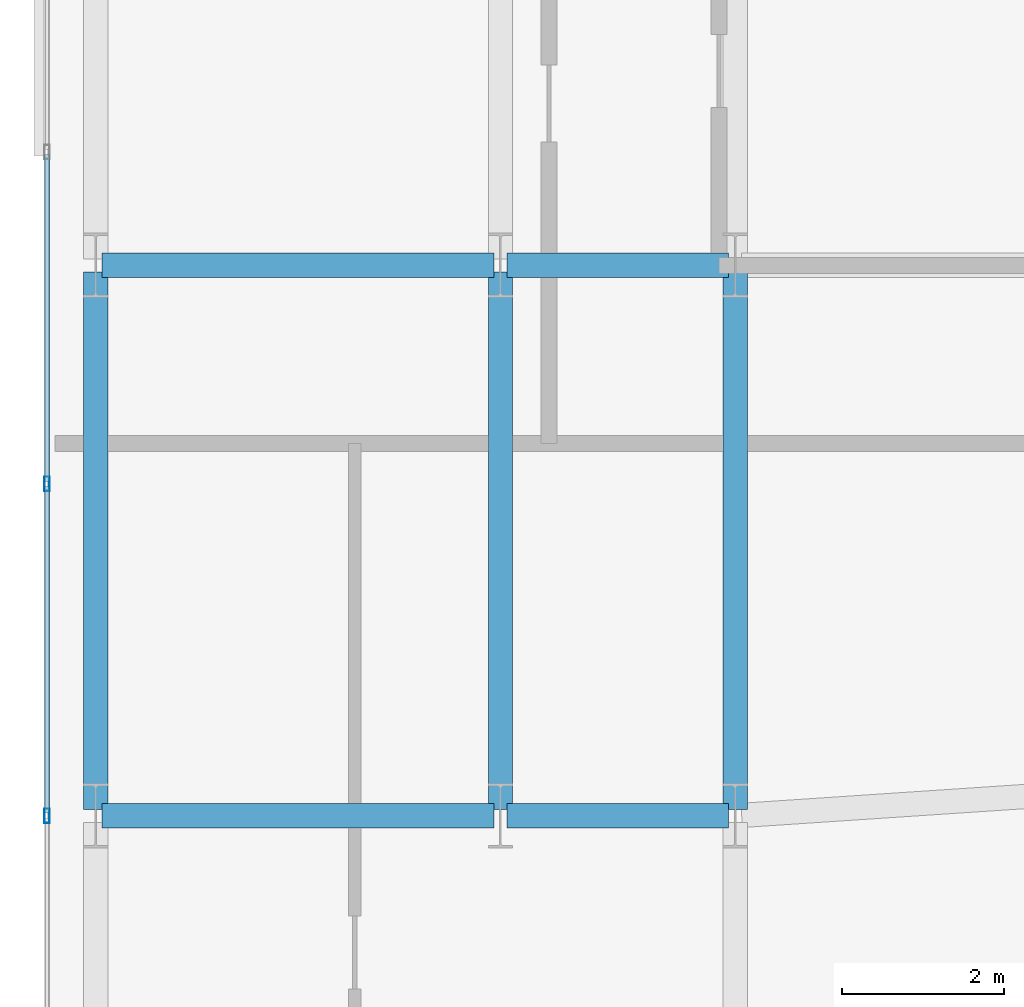
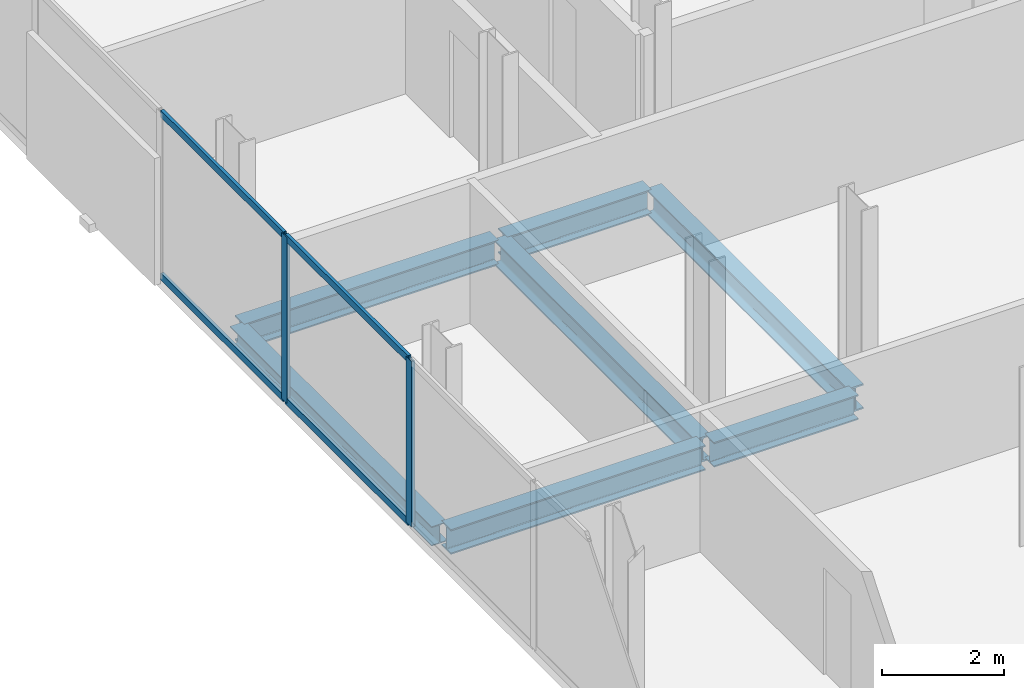
# One storey, part 11 of 33: 7 beams, 6 members, 1 element without a shape of its own.
"""IFC4 building model written with IfcOpenShell, lengths in metres."""

from ifc_helpers import new_model, si_unit, direction, frame, origin, origin_2d, place, context, subcontext, project, spatial, hollow_rectangle, i_section, extrude, material, layer, layer_set, material_profile, profile_set, type_object, element, aggregate, save


model = new_model("IFC4")

# Units and contexts
model_context = context("Model", 3, precision=1e-05, world=origin(), true_north=direction((0.0, 1.0)))
body_context = subcontext(model_context, "Body", "Model", "MODEL_VIEW")
ifc_project = project(units=[si_unit("LENGTHUNIT", "METRE"), si_unit("AREAUNIT", "SQUARE_METRE"), si_unit("VOLUMEUNIT", "CUBIC_METRE"), si_unit("PLANEANGLEUNIT", "RADIAN"), si_unit("MASSUNIT", "GRAM", prefix="KILO")], contexts=[model_context])

# Site, building, storey
site_placement = place(None, origin())
site = spatial("IfcSite", under=ifc_project, at=site_placement, CompositionType="ELEMENT")
building_placement = place(site_placement, origin())
building = spatial("IfcBuilding", under=site, at=building_placement, Name="Catumbela Crestline Tower", CompositionType="ELEMENT")
storey_placement = place(building_placement, frame((0.0, 0.0, 51.0)))
storey = spatial("IfcBuildingStorey", under=building, at=storey_placement, Name="L12", CompositionType="ELEMENT", Elevation=51.0)

# Beams
ifc_material_1 = material(Name="Structural steel S355J2", Category="steel")
ifc_material_profile_1 = material_profile(ifc_material_1, i_section(OverallWidth=0.3, OverallDepth=0.5, WebThickness=0.0145, FlangeThickness=0.028, FilletRadius=0.027, at=origin_2d()), Name="HEB 500")
ifc_profile_set_1 = profile_set([ifc_material_profile_1], Name="Structural steel S355J2")
beam_type_1 = type_object("IfcBeamType", Name="BG-HEB500", PredefinedType="BEAM", material=ifc_profile_set_1)
beam_1_placement = place(storey_placement, frame((0.68, 24.0, -0.51), z_axis=(1.0, 0.0, 0.0), x_axis=(0.0, 1.0, 0.0)))
element("IfcBeam", 1, at=beam_1_placement, inside=storey, type_object=beam_type_1, Name="L12 Beam BM-L12-S01", PredefinedType="BEAM", context=body_context, shape_type="SweptSolid", body=[
    extrude(i_section(OverallWidth=0.3, OverallDepth=0.5, WebThickness=0.0145, FlangeThickness=0.028, FilletRadius=0.027, at=origin_2d()), origin(), (0.0, 0.0, 1.0), 4.84),
])
beam_2_placement = place(storey_placement, frame((5.68, 24.0, -0.51), z_axis=(1.0, 0.0, 0.0), x_axis=(0.0, 1.0, 0.0)))
element("IfcBeam", 2, at=beam_2_placement, inside=storey, type_object=beam_type_1, Name="L12 Beam BM-L12-S02", PredefinedType="BEAM", context=body_context, shape_type="SweptSolid", body=[
    extrude(i_section(OverallWidth=0.3, OverallDepth=0.5, WebThickness=0.0145, FlangeThickness=0.028, FilletRadius=0.027, at=origin_2d()), origin(), (0.0, 0.0, 1.0), 2.74),
])
beam_3_placement = place(storey_placement, frame((0.68, 30.8, -0.51), z_axis=(1.0, 0.0, 0.0), x_axis=(0.0, 1.0, 0.0)))
element("IfcBeam", 3, at=beam_3_placement, inside=storey, type_object=beam_type_1, Name="L12 Beam BM-L12-M07", PredefinedType="BEAM", context=body_context, shape_type="SweptSolid", body=[
    extrude(i_section(OverallWidth=0.3, OverallDepth=0.5, WebThickness=0.0145, FlangeThickness=0.028, FilletRadius=0.027, at=origin_2d()), origin(), (0.0, 0.0, 1.0), 4.84),
])
beam_4_placement = place(storey_placement, frame((5.68, 30.8, -0.51), z_axis=(1.0, 0.0, 0.0), x_axis=(0.0, 1.0, 0.0)))
element("IfcBeam", 4, at=beam_4_placement, inside=storey, type_object=beam_type_1, Name="L12 Beam BM-L12-M08", PredefinedType="BEAM", context=body_context, shape_type="SweptSolid", body=[
    extrude(i_section(OverallWidth=0.3, OverallDepth=0.5, WebThickness=0.0145, FlangeThickness=0.028, FilletRadius=0.027, at=origin_2d()), origin(), (0.0, 0.0, 1.0), 2.74),
])
for number, where, z_axis, x_axis, name in (
    (5, (5.6, 24.08, -0.51), (0.0, 1.0, 0.0), (-1.0, 0.0, 0.0), "L12 Beam BM-L12-SN27"),
    (6, (8.5, 24.08, -0.51), (0.0, 1.0, 0.0), (-1.0, 0.0, 0.0), "L12 Beam BM-L12-SN29"),
):
    element("IfcBeam", number, at=place(storey_placement, frame(where, z_axis=z_axis, x_axis=x_axis)), inside=storey, type_object=beam_type_1, Name=name, PredefinedType="BEAM", context=body_context, shape_type="SweptSolid", body=[
        extrude(i_section(OverallWidth=0.3, OverallDepth=0.5, WebThickness=0.0145, FlangeThickness=0.028, FilletRadius=0.027, at=origin_2d()), origin(), (0.0, 0.0, 1.0), 6.64),
    ])

# Curtain wall, members
ifc_material_2 = material(Name="Aluminium alloy AW-6060-T66", Category="aluminium")
ifc_layer = layer(ifc_material_2, 0.18, Name="Aluminium alloy AW-6060-T66")
ifc_layer_set = layer_set([ifc_layer], Name="Aluminium alloy AW-6060-T66")
curtain_wall_type = type_object("IfcCurtainWallType", Name="CWU-Z1", PredefinedType="USERDEFINED", material=ifc_layer_set)
curtain_wall_placement = place(storey_placement, origin())
curtain_wall = element("IfcCurtainWall", 7, at=curtain_wall_placement, inside=storey, type_object=curtain_wall_type, Name="L12 Unitised Curtain Wall CW-L12-E9S1", ObjectType="UNITISED", PredefinedType="USERDEFINED")
ifc_material_profile_2 = material_profile(ifc_material_2, hollow_rectangle(XDim=0.065, YDim=0.18, WallThickness=0.004, at=origin_2d()), Name="ALU 180x65x4")
ifc_profile_set_2 = profile_set([ifc_material_profile_2], Name="Aluminium alloy AW-6060-T66")
member_type_1 = type_object("IfcMemberType", Name="MUL-180X65", PredefinedType="MULLION", material=ifc_profile_set_2)
member_1_placement = place(storey_placement, frame((0.0, 28.1, 0.0), z_axis=(0.0, 0.0, 1.0), x_axis=(1.0, 0.0, 0.0)))
member_1 = element("IfcMember", 8, at=member_1_placement, type_object=member_type_1, Name="CWU-Z1 mullion 5", PredefinedType="MULLION", context=body_context, shape_type="SweptSolid", body=[
    extrude(hollow_rectangle(XDim=0.065, YDim=0.18, WallThickness=0.004, at=origin_2d()), origin(), (0.0, 0.0, 1.0), 3.33),
])
member_2_placement = place(storey_placement, frame((0.0, 24.0, 0.0), z_axis=(0.0, 0.0, 1.0), x_axis=(1.0, 0.0, 0.0)))
member_2 = element("IfcMember", 9, at=member_2_placement, type_object=member_type_1, Name="CWU-Z1 mullion 6", PredefinedType="MULLION", context=body_context, shape_type="SweptSolid", body=[
    extrude(hollow_rectangle(XDim=0.065, YDim=0.18, WallThickness=0.004, at=origin_2d()), origin(), (0.0, 0.0, 1.0), 3.33),
])

# Beam
ifc_material_profile_3 = material_profile(ifc_material_1, i_section(OverallWidth=0.3, OverallDepth=0.39, WebThickness=0.011, FlangeThickness=0.019, FilletRadius=0.027, at=origin_2d()), Name="HEA 400")
ifc_profile_set_3 = profile_set([ifc_material_profile_3], Name="Structural steel S355J2")
beam_type_2 = type_object("IfcBeamType", Name="BS-HEA400", PredefinedType="SPANDREL", material=ifc_profile_set_3)
beam_5_placement = place(storey_placement, frame((0.6, 24.08, -0.455), z_axis=(0.0, 1.0, 0.0), x_axis=(-1.0, 0.0, 0.0)))
element("IfcBeam", 10, at=beam_5_placement, inside=storey, type_object=beam_type_2, Name="L12 Spandrel SP-L12-SN25", PredefinedType="SPANDREL", context=body_context, shape_type="SweptSolid", body=[
    extrude(i_section(OverallWidth=0.3, OverallDepth=0.39, WebThickness=0.011, FlangeThickness=0.019, FilletRadius=0.027, at=origin_2d()), origin(), (0.0, 0.0, 1.0), 6.64),
])

# Member
ifc_material_profile_4 = material_profile(ifc_material_2, hollow_rectangle(XDim=0.06, YDim=0.14, WallThickness=0.004, at=origin_2d()), Name="ALU 140x60x4")
ifc_profile_set_4 = profile_set([ifc_material_profile_4], Name="Aluminium alloy AW-6060-T66")
member_type_2 = type_object("IfcMemberType", Name="TRN-140X60", PredefinedType="USERDEFINED", material=ifc_profile_set_4)
member_3_placement = place(storey_placement, frame((0.0, 32.1675, 0.03), z_axis=(0.0, -1.0, 0.0), x_axis=(1.0, 0.0, 0.0)))
member_3 = element("IfcMember", 11, at=member_3_placement, type_object=member_type_2, Name="CWU-Z1 transom 4.1", ObjectType="TRANSOM", PredefinedType="USERDEFINED", context=body_context, shape_type="SweptSolid", body=[
    extrude(hollow_rectangle(XDim=0.06, YDim=0.14, WallThickness=0.004, at=origin_2d()), origin(), (0.0, 0.0, 1.0), 4.035),
])

member_4_placement = place(storey_placement, frame((0.0, 32.1675, 3.3), z_axis=(0.0, -1.0, 0.0), x_axis=(1.0, 0.0, 0.0)))
member_4 = element("IfcMember", 12, at=member_4_placement, type_object=member_type_2, Name="CWU-Z1 transom 4.2", ObjectType="TRANSOM", PredefinedType="USERDEFINED", context=body_context, shape_type="SweptSolid", body=[
    extrude(hollow_rectangle(XDim=0.06, YDim=0.14, WallThickness=0.004, at=origin_2d()), origin(), (0.0, 0.0, 1.0), 4.035),
])

member_5_placement = place(storey_placement, frame((0.0, 28.0675, 0.03), z_axis=(0.0, -1.0, 0.0), x_axis=(1.0, 0.0, 0.0)))
member_5 = element("IfcMember", 13, at=member_5_placement, type_object=member_type_2, Name="CWU-Z1 transom 5.1", ObjectType="TRANSOM", PredefinedType="USERDEFINED", context=body_context, shape_type="SweptSolid", body=[
    extrude(hollow_rectangle(XDim=0.06, YDim=0.14, WallThickness=0.004, at=origin_2d()), origin(), (0.0, 0.0, 1.0), 4.035),
])

member_6_placement = place(storey_placement, frame((0.0, 28.0675, 3.3), z_axis=(0.0, -1.0, 0.0), x_axis=(1.0, 0.0, 0.0)))
member_6 = element("IfcMember", 14, at=member_6_placement, type_object=member_type_2, Name="CWU-Z1 transom 5.2", ObjectType="TRANSOM", PredefinedType="USERDEFINED", context=body_context, shape_type="SweptSolid", body=[
    extrude(hollow_rectangle(XDim=0.06, YDim=0.14, WallThickness=0.004, at=origin_2d()), origin(), (0.0, 0.0, 1.0), 4.035),
])

aggregate(curtain_wall, [member_1, member_2, member_3, member_4, member_5, member_6])

save(model, "model.ifc")
